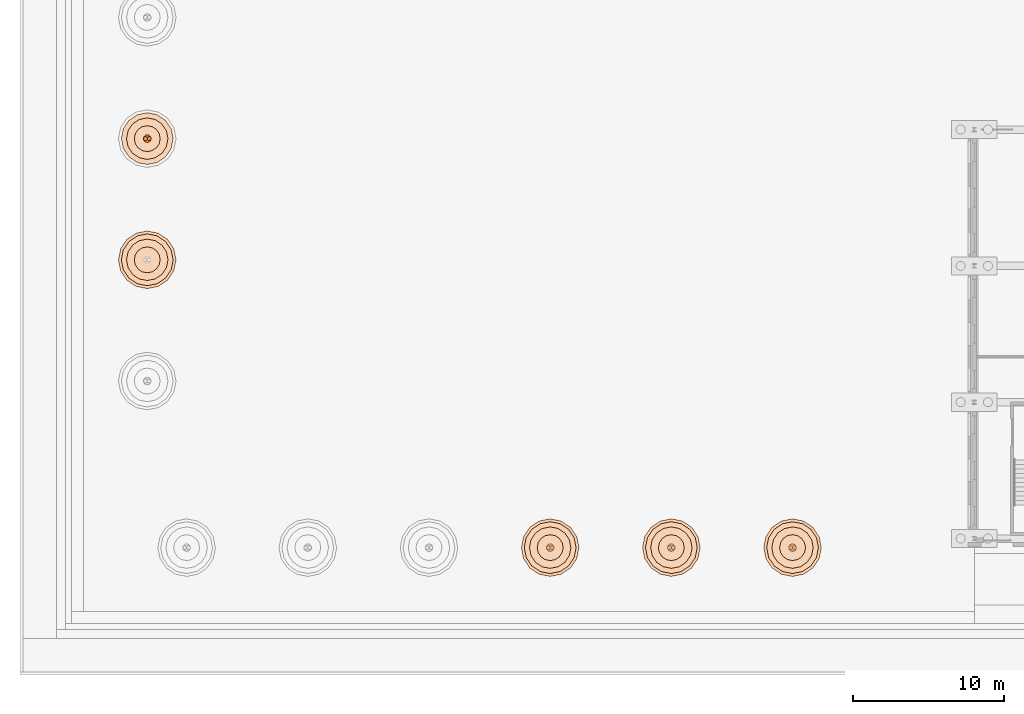
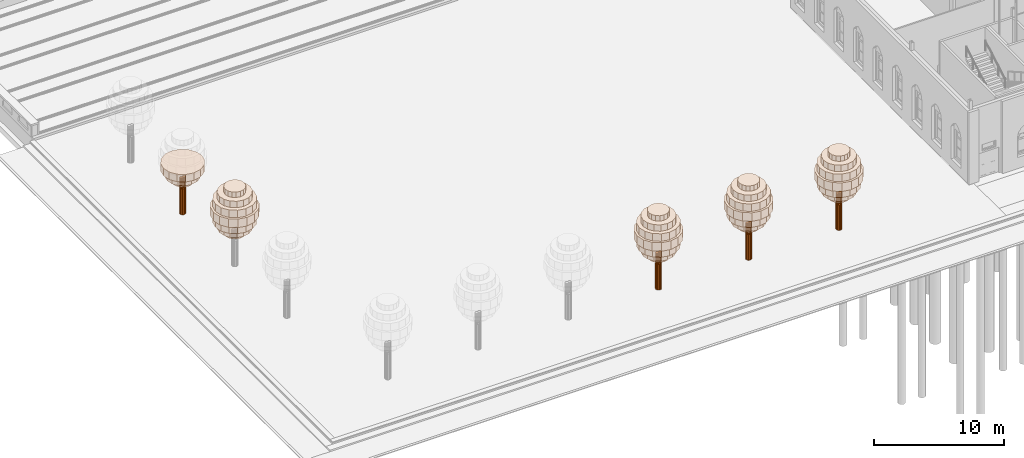
# One storey, part 239 of 250: 43 geographic elements.
"""IFC4 building model written with IfcOpenShell, lengths in metres."""

from ifc_helpers import new_model, si_unit, direction, frame, origin, place, context, subcontext, project, spatial, polyline, outline, extrude, material, type_object, element, save


model = new_model("IFC4")

# Units and contexts
model_context = context("Model", 3, precision=1e-05, world=origin(), true_north=direction((0.0, 1.0)))
body_context = subcontext(model_context, "Body", "Model", "MODEL_VIEW")
ifc_project = project(units=[si_unit("LENGTHUNIT", "METRE"), si_unit("AREAUNIT", "SQUARE_METRE"), si_unit("VOLUMEUNIT", "CUBIC_METRE"), si_unit("PLANEANGLEUNIT", "RADIAN"), si_unit("MASSUNIT", "GRAM", prefix="KILO")], contexts=[model_context])

# Site, building, storey
site_placement = place(None, origin())
site = spatial("IfcSite", under=ifc_project, at=site_placement, CompositionType="ELEMENT")
building_placement = place(site_placement, origin())
building = spatial("IfcBuilding", under=site, at=building_placement, Name="Baradari Gate Terminus", CompositionType="ELEMENT")
storey_placement = place(building_placement, origin())
storey = spatial("IfcBuildingStorey", under=building, at=storey_placement, Name="L00", CompositionType="ELEMENT", Elevation=0.0)

# Geographic elements
ifc_material_1 = material(Name="Planted foliage, green")
geographic_element_type_1 = type_object("IfcGeographicElementType", Name="Street tree crown, belly layer TR-4 3420x700", PredefinedType="USERDEFINED", material=ifc_material_1)
for number, where, name in (
    (1, (0.0, 0.0, 4.10009765625), "Street tree 4 crown 3"),
    (2, (0.0, 0.0, 5.60009765625), "Street tree 4 crown 5"),
):
    element("IfcGeographicElement", number, at=place(storey_placement, frame(where)), inside=storey, type_object=geographic_element_type_1, Name=name, ObjectType="TREE", PredefinedType="USERDEFINED", context=body_context, shape_type="SweptSolid", body=[
        extrude(outline(polyline([(36.7099609375, 8.39990234375), (36.579833984375, 9.054443359375), (36.209228515625, 9.609130859375), (35.654296875, 9.979736328125), (35.0, 10.110107421875), (34.345703125, 9.979736328125), (33.790771484375, 9.609130859375), (33.420166015625, 9.054443359375), (33.2900390625, 8.39990234375), (33.420166015625, 7.74560546875), (33.790771484375, 7.19091796875), (34.345703125, 6.820068359375), (35.0, 6.68994140625), (35.654296875, 6.820068359375), (36.209228515625, 7.19091796875), (36.579833984375, 7.74560546875), (36.7099609375, 8.39990234375)])), origin(), (0.0, 0.0, 1.0), 0.699951171875),
    ])
for number, where, name in (
    (3, (0.0, 0.0, 4.10009765625), "Street tree 5 crown 3"),
    (4, (0.0, 0.0, 5.60009765625), "Street tree 5 crown 5"),
):
    element("IfcGeographicElement", number, at=place(storey_placement, frame(where)), inside=storey, type_object=geographic_element_type_1, Name=name, ObjectType="TREE", PredefinedType="USERDEFINED", context=body_context, shape_type="SweptSolid", body=[
        extrude(outline(polyline([(44.7099609375, 8.39990234375), (44.579833984375, 9.054443359375), (44.209228515625, 9.609130859375), (43.654296875, 9.979736328125), (43.0, 10.110107421875), (42.345703125, 9.979736328125), (41.790771484375, 9.609130859375), (41.420166015625, 9.054443359375), (41.2900390625, 8.39990234375), (41.420166015625, 7.74560546875), (41.790771484375, 7.19091796875), (42.345703125, 6.820068359375), (43.0, 6.68994140625), (43.654296875, 6.820068359375), (44.209228515625, 7.19091796875), (44.579833984375, 7.74560546875), (44.7099609375, 8.39990234375)])), origin(), (0.0, 0.0, 1.0), 0.699951171875),
    ])
for number, where, name in (
    (5, (0.0, 0.0, 4.10009765625), "Street tree 6 crown 3"),
    (6, (0.0, 0.0, 5.60009765625), "Street tree 6 crown 5"),
):
    element("IfcGeographicElement", number, at=place(storey_placement, frame(where)), inside=storey, type_object=geographic_element_type_1, Name=name, ObjectType="TREE", PredefinedType="USERDEFINED", context=body_context, shape_type="SweptSolid", body=[
        extrude(outline(polyline([(52.7099609375, 8.39990234375), (52.579833984375, 9.054443359375), (52.209228515625, 9.609130859375), (51.654296875, 9.979736328125), (51.0, 10.110107421875), (50.345703125, 9.979736328125), (49.790771484375, 9.609130859375), (49.420166015625, 9.054443359375), (49.2900390625, 8.39990234375), (49.420166015625, 7.74560546875), (49.790771484375, 7.19091796875), (50.345703125, 6.820068359375), (51.0, 6.68994140625), (51.654296875, 6.820068359375), (52.209228515625, 7.19091796875), (52.579833984375, 7.74560546875), (52.7099609375, 8.39990234375)])), origin(), (0.0, 0.0, 1.0), 0.699951171875),
    ])
for number, where, name in (
    (7, (0.0, 0.0, 4.10009765625), "Street tree 17 crown 3"),
    (8, (0.0, 0.0, 5.60009765625), "Street tree 17 crown 5"),
):
    element("IfcGeographicElement", number, at=place(storey_placement, frame(where)), inside=storey, type_object=geographic_element_type_1, Name=name, ObjectType="TREE", PredefinedType="USERDEFINED", context=body_context, shape_type="SweptSolid", body=[
        extrude(outline(polyline([(10.110107421875, 27.39990234375), (9.979736328125, 28.054443359375), (9.609130859375, 28.609130859375), (9.054443359375, 28.979736328125), (8.39990234375, 29.110107421875), (7.74560546875, 28.979736328125), (7.19091796875, 28.609130859375), (6.820068359375, 28.054443359375), (6.68994140625, 27.39990234375), (6.820068359375, 26.74560546875), (7.19091796875, 26.19091796875), (7.74560546875, 25.820068359375), (8.39990234375, 25.68994140625), (9.054443359375, 25.820068359375), (9.609130859375, 26.19091796875), (9.979736328125, 26.74560546875), (10.110107421875, 27.39990234375)])), origin(), (0.0, 0.0, 1.0), 0.699951171875),
    ])
geographic_element_1_placement = place(storey_placement, frame((0.0, 0.0, 4.10009765625)))
element("IfcGeographicElement", 9, at=geographic_element_1_placement, inside=storey, type_object=geographic_element_type_1, Name="Street tree 18 crown 3", ObjectType="TREE", PredefinedType="USERDEFINED", context=body_context, shape_type="SweptSolid", body=[
    extrude(outline(polyline([(10.110107421875, 35.39990234375), (9.979736328125, 36.054443359375), (9.609130859375, 36.609130859375), (9.054443359375, 36.979736328125), (8.39990234375, 37.110107421875), (7.74560546875, 36.979736328125), (7.19091796875, 36.609130859375), (6.820068359375, 36.054443359375), (6.68994140625, 35.39990234375), (6.820068359375, 34.74560546875), (7.19091796875, 34.19091796875), (7.74560546875, 33.820068359375), (8.39990234375, 33.68994140625), (9.054443359375, 33.820068359375), (9.609130859375, 34.19091796875), (9.979736328125, 34.74560546875), (10.110107421875, 35.39990234375)])), origin(), (0.0, 0.0, 1.0), 0.699951171875),
])
ifc_material_2 = material(Name="Planted foliage, green")
geographic_element_type_2 = type_object("IfcGeographicElementType", Name="Street tree crown, core layer TR-5 3800x800", PredefinedType="USERDEFINED", material=ifc_material_2)
geographic_element_2_placement = place(storey_placement, frame((0.0, 0.0, 4.800048828125)))
element("IfcGeographicElement", 10, at=geographic_element_2_placement, inside=storey, type_object=geographic_element_type_2, Name="Street tree 4 crown 4", ObjectType="TREE", PredefinedType="USERDEFINED", context=body_context, shape_type="SweptSolid", body=[
    extrude(outline(polyline([(36.89990234375, 8.39990234375), (36.75537109375, 9.127197265625), (36.343505859375, 9.743408203125), (35.72705078125, 10.1552734375), (35.0, 10.300048828125), (34.27294921875, 10.1552734375), (33.656494140625, 9.743408203125), (33.24462890625, 9.127197265625), (33.10009765625, 8.39990234375), (33.24462890625, 7.6728515625), (33.656494140625, 7.056396484375), (34.27294921875, 6.64453125), (35.0, 6.5), (35.72705078125, 6.64453125), (36.343505859375, 7.056396484375), (36.75537109375, 7.6728515625), (36.89990234375, 8.39990234375)])), origin(), (0.0, 0.0, 1.0), 0.800048828125),
])
geographic_element_3_placement = place(storey_placement, frame((0.0, 0.0, 4.800048828125)))
element("IfcGeographicElement", 11, at=geographic_element_3_placement, inside=storey, type_object=geographic_element_type_2, Name="Street tree 5 crown 4", ObjectType="TREE", PredefinedType="USERDEFINED", context=body_context, shape_type="SweptSolid", body=[
    extrude(outline(polyline([(44.89990234375, 8.39990234375), (44.75537109375, 9.127197265625), (44.343505859375, 9.743408203125), (43.72705078125, 10.1552734375), (43.0, 10.300048828125), (42.27294921875, 10.1552734375), (41.656494140625, 9.743408203125), (41.24462890625, 9.127197265625), (41.10009765625, 8.39990234375), (41.24462890625, 7.6728515625), (41.656494140625, 7.056396484375), (42.27294921875, 6.64453125), (43.0, 6.5), (43.72705078125, 6.64453125), (44.343505859375, 7.056396484375), (44.75537109375, 7.6728515625), (44.89990234375, 8.39990234375)])), origin(), (0.0, 0.0, 1.0), 0.800048828125),
])
geographic_element_4_placement = place(storey_placement, frame((0.0, 0.0, 4.800048828125)))
element("IfcGeographicElement", 12, at=geographic_element_4_placement, inside=storey, type_object=geographic_element_type_2, Name="Street tree 6 crown 4", ObjectType="TREE", PredefinedType="USERDEFINED", context=body_context, shape_type="SweptSolid", body=[
    extrude(outline(polyline([(52.89990234375, 8.39990234375), (52.75537109375, 9.127197265625), (52.343505859375, 9.743408203125), (51.72705078125, 10.1552734375), (51.0, 10.300048828125), (50.27294921875, 10.1552734375), (49.656494140625, 9.743408203125), (49.24462890625, 9.127197265625), (49.10009765625, 8.39990234375), (49.24462890625, 7.6728515625), (49.656494140625, 7.056396484375), (50.27294921875, 6.64453125), (51.0, 6.5), (51.72705078125, 6.64453125), (52.343505859375, 7.056396484375), (52.75537109375, 7.6728515625), (52.89990234375, 8.39990234375)])), origin(), (0.0, 0.0, 1.0), 0.800048828125),
])
geographic_element_5_placement = place(storey_placement, frame((0.0, 0.0, 4.800048828125)))
element("IfcGeographicElement", 13, at=geographic_element_5_placement, inside=storey, type_object=geographic_element_type_2, Name="Street tree 17 crown 4", ObjectType="TREE", PredefinedType="USERDEFINED", context=body_context, shape_type="SweptSolid", body=[
    extrude(outline(polyline([(10.300048828125, 27.39990234375), (10.1552734375, 28.127197265625), (9.743408203125, 28.743408203125), (9.127197265625, 29.1552734375), (8.39990234375, 29.300048828125), (7.6728515625, 29.1552734375), (7.056396484375, 28.743408203125), (6.64453125, 28.127197265625), (6.5, 27.39990234375), (6.64453125, 26.6728515625), (7.056396484375, 26.056396484375), (7.6728515625, 25.64453125), (8.39990234375, 25.5), (9.127197265625, 25.64453125), (9.743408203125, 26.056396484375), (10.1552734375, 26.6728515625), (10.300048828125, 27.39990234375)])), origin(), (0.0, 0.0, 1.0), 0.800048828125),
])
ifc_material_3 = material(Name="Planted foliage, green")
geographic_element_type_3 = type_object("IfcGeographicElementType", Name="Street tree crown, rim layer TR-2 1710x500", PredefinedType="USERDEFINED", material=ifc_material_3)
for number, where, name in (
    (14, (0.0, 0.0, 3.0), "Street tree 4 crown 1"),
    (15, (0.0, 0.0, 6.89990234375), "Street tree 4 crown 7"),
):
    element("IfcGeographicElement", number, at=place(storey_placement, frame(where)), inside=storey, type_object=geographic_element_type_3, Name=name, ObjectType="TREE", PredefinedType="USERDEFINED", context=body_context, shape_type="SweptSolid", body=[
        extrude(outline(polyline([(35.85498046875, 8.39990234375), (35.7900390625, 8.727294921875), (35.6044921875, 9.004638671875), (35.3271484375, 9.18994140625), (35.0, 9.2548828125), (34.6728515625, 9.18994140625), (34.3955078125, 9.004638671875), (34.2099609375, 8.727294921875), (34.14501953125, 8.39990234375), (34.2099609375, 8.07275390625), (34.3955078125, 7.79541015625), (34.6728515625, 7.610107421875), (35.0, 7.544921875), (35.3271484375, 7.610107421875), (35.6044921875, 7.79541015625), (35.7900390625, 8.07275390625), (35.85498046875, 8.39990234375)])), origin(), (0.0, 0.0, 1.0), 0.5),
    ])
for number, where, name in (
    (16, (0.0, 0.0, 3.0), "Street tree 5 crown 1"),
    (17, (0.0, 0.0, 6.89990234375), "Street tree 5 crown 7"),
):
    element("IfcGeographicElement", number, at=place(storey_placement, frame(where)), inside=storey, type_object=geographic_element_type_3, Name=name, ObjectType="TREE", PredefinedType="USERDEFINED", context=body_context, shape_type="SweptSolid", body=[
        extrude(outline(polyline([(43.85498046875, 8.39990234375), (43.7900390625, 8.727294921875), (43.6044921875, 9.004638671875), (43.3271484375, 9.18994140625), (43.0, 9.2548828125), (42.6728515625, 9.18994140625), (42.3955078125, 9.004638671875), (42.2099609375, 8.727294921875), (42.14501953125, 8.39990234375), (42.2099609375, 8.07275390625), (42.3955078125, 7.79541015625), (42.6728515625, 7.610107421875), (43.0, 7.544921875), (43.3271484375, 7.610107421875), (43.6044921875, 7.79541015625), (43.7900390625, 8.07275390625), (43.85498046875, 8.39990234375)])), origin(), (0.0, 0.0, 1.0), 0.5),
    ])
for number, where, name in (
    (18, (0.0, 0.0, 3.0), "Street tree 6 crown 1"),
    (19, (0.0, 0.0, 6.89990234375), "Street tree 6 crown 7"),
):
    element("IfcGeographicElement", number, at=place(storey_placement, frame(where)), inside=storey, type_object=geographic_element_type_3, Name=name, ObjectType="TREE", PredefinedType="USERDEFINED", context=body_context, shape_type="SweptSolid", body=[
        extrude(outline(polyline([(51.85498046875, 8.39990234375), (51.7900390625, 8.727294921875), (51.6044921875, 9.004638671875), (51.3271484375, 9.18994140625), (51.0, 9.2548828125), (50.6728515625, 9.18994140625), (50.3955078125, 9.004638671875), (50.2099609375, 8.727294921875), (50.14501953125, 8.39990234375), (50.2099609375, 8.07275390625), (50.3955078125, 7.79541015625), (50.6728515625, 7.610107421875), (51.0, 7.544921875), (51.3271484375, 7.610107421875), (51.6044921875, 7.79541015625), (51.7900390625, 8.07275390625), (51.85498046875, 8.39990234375)])), origin(), (0.0, 0.0, 1.0), 0.5),
    ])
for number, where, name in (
    (20, (0.0, 0.0, 3.0), "Street tree 17 crown 1"),
    (21, (0.0, 0.0, 6.89990234375), "Street tree 17 crown 7"),
):
    element("IfcGeographicElement", number, at=place(storey_placement, frame(where)), inside=storey, type_object=geographic_element_type_3, Name=name, ObjectType="TREE", PredefinedType="USERDEFINED", context=body_context, shape_type="SweptSolid", body=[
        extrude(outline(polyline([(9.2548828125, 27.39990234375), (9.18994140625, 27.727294921875), (9.004638671875, 28.004638671875), (8.727294921875, 28.18994140625), (8.39990234375, 28.2548828125), (8.07275390625, 28.18994140625), (7.79541015625, 28.004638671875), (7.610107421875, 27.727294921875), (7.544921875, 27.39990234375), (7.610107421875, 27.07275390625), (7.79541015625, 26.79541015625), (8.07275390625, 26.610107421875), (8.39990234375, 26.544921875), (8.727294921875, 26.610107421875), (9.004638671875, 26.79541015625), (9.18994140625, 27.07275390625), (9.2548828125, 27.39990234375)])), origin(), (0.0, 0.0, 1.0), 0.5),
    ])
geographic_element_6_placement = place(storey_placement, frame((0.0, 0.0, 3.0)))
element("IfcGeographicElement", 22, at=geographic_element_6_placement, inside=storey, type_object=geographic_element_type_3, Name="Street tree 18 crown 1", ObjectType="TREE", PredefinedType="USERDEFINED", context=body_context, shape_type="SweptSolid", body=[
    extrude(outline(polyline([(9.2548828125, 35.39990234375), (9.18994140625, 35.727294921875), (9.004638671875, 36.004638671875), (8.727294921875, 36.18994140625), (8.39990234375, 36.2548828125), (8.07275390625, 36.18994140625), (7.79541015625, 36.004638671875), (7.610107421875, 35.727294921875), (7.544921875, 35.39990234375), (7.610107421875, 35.07275390625), (7.79541015625, 34.79541015625), (8.07275390625, 34.610107421875), (8.39990234375, 34.544921875), (8.727294921875, 34.610107421875), (9.004638671875, 34.79541015625), (9.18994140625, 35.07275390625), (9.2548828125, 35.39990234375)])), origin(), (0.0, 0.0, 1.0), 0.5),
])
ifc_material_4 = material(Name="Planted foliage, green")
geographic_element_type_4 = type_object("IfcGeographicElementType", Name="Street tree crown, shoulder layer TR-3 2736x600", PredefinedType="USERDEFINED", material=ifc_material_4)
geographic_element_7_placement = place(storey_placement, frame((0.0, 0.0, 3.5)))
element("IfcGeographicElement", 23, at=geographic_element_7_placement, inside=storey, type_object=geographic_element_type_4, Name="Street tree 4 crown 2", ObjectType="TREE", PredefinedType="USERDEFINED", context=body_context, shape_type="SweptSolid", body=[
    extrude(outline(polyline([(36.367919921875, 8.39990234375), (36.263916015625, 8.923583984375), (35.96728515625, 9.367431640625), (35.5234375, 9.663818359375), (35.0, 9.76806640625), (34.4765625, 9.663818359375), (34.03271484375, 9.367431640625), (33.736083984375, 8.923583984375), (33.632080078125, 8.39990234375), (33.736083984375, 7.87646484375), (34.03271484375, 7.4326171875), (34.4765625, 7.13623046875), (35.0, 7.031982421875), (35.5234375, 7.13623046875), (35.96728515625, 7.4326171875), (36.263916015625, 7.87646484375), (36.367919921875, 8.39990234375)])), origin(), (0.0, 0.0, 1.0), 0.60009765625),
])
geographic_element_8_placement = place(storey_placement, frame((0.0, 0.0, 6.300048828125)))
element("IfcGeographicElement", 24, at=geographic_element_8_placement, inside=storey, type_object=geographic_element_type_4, Name="Street tree 4 crown 6", ObjectType="TREE", PredefinedType="USERDEFINED", context=body_context, shape_type="SweptSolid", body=[
    extrude(outline(polyline([(36.367919921875, 8.39990234375), (36.263916015625, 8.923583984375), (35.96728515625, 9.367431640625), (35.5234375, 9.663818359375), (35.0, 9.76806640625), (34.4765625, 9.663818359375), (34.03271484375, 9.367431640625), (33.736083984375, 8.923583984375), (33.632080078125, 8.39990234375), (33.736083984375, 7.87646484375), (34.03271484375, 7.4326171875), (34.4765625, 7.13623046875), (35.0, 7.031982421875), (35.5234375, 7.13623046875), (35.96728515625, 7.4326171875), (36.263916015625, 7.87646484375), (36.367919921875, 8.39990234375)])), origin(), (0.0, 0.0, 1.0), 0.599853515625),
])
geographic_element_9_placement = place(storey_placement, frame((0.0, 0.0, 3.5)))
element("IfcGeographicElement", 25, at=geographic_element_9_placement, inside=storey, type_object=geographic_element_type_4, Name="Street tree 5 crown 2", ObjectType="TREE", PredefinedType="USERDEFINED", context=body_context, shape_type="SweptSolid", body=[
    extrude(outline(polyline([(44.367919921875, 8.39990234375), (44.263916015625, 8.923583984375), (43.96728515625, 9.367431640625), (43.5234375, 9.663818359375), (43.0, 9.76806640625), (42.4765625, 9.663818359375), (42.03271484375, 9.367431640625), (41.736083984375, 8.923583984375), (41.632080078125, 8.39990234375), (41.736083984375, 7.87646484375), (42.03271484375, 7.4326171875), (42.4765625, 7.13623046875), (43.0, 7.031982421875), (43.5234375, 7.13623046875), (43.96728515625, 7.4326171875), (44.263916015625, 7.87646484375), (44.367919921875, 8.39990234375)])), origin(), (0.0, 0.0, 1.0), 0.60009765625),
])
geographic_element_10_placement = place(storey_placement, frame((0.0, 0.0, 6.300048828125)))
element("IfcGeographicElement", 26, at=geographic_element_10_placement, inside=storey, type_object=geographic_element_type_4, Name="Street tree 5 crown 6", ObjectType="TREE", PredefinedType="USERDEFINED", context=body_context, shape_type="SweptSolid", body=[
    extrude(outline(polyline([(44.367919921875, 8.39990234375), (44.263916015625, 8.923583984375), (43.96728515625, 9.367431640625), (43.5234375, 9.663818359375), (43.0, 9.76806640625), (42.4765625, 9.663818359375), (42.03271484375, 9.367431640625), (41.736083984375, 8.923583984375), (41.632080078125, 8.39990234375), (41.736083984375, 7.87646484375), (42.03271484375, 7.4326171875), (42.4765625, 7.13623046875), (43.0, 7.031982421875), (43.5234375, 7.13623046875), (43.96728515625, 7.4326171875), (44.263916015625, 7.87646484375), (44.367919921875, 8.39990234375)])), origin(), (0.0, 0.0, 1.0), 0.599853515625),
])
geographic_element_11_placement = place(storey_placement, frame((0.0, 0.0, 3.5)))
element("IfcGeographicElement", 27, at=geographic_element_11_placement, inside=storey, type_object=geographic_element_type_4, Name="Street tree 6 crown 2", ObjectType="TREE", PredefinedType="USERDEFINED", context=body_context, shape_type="SweptSolid", body=[
    extrude(outline(polyline([(52.367919921875, 8.39990234375), (52.263916015625, 8.923583984375), (51.96728515625, 9.367431640625), (51.5234375, 9.663818359375), (51.0, 9.76806640625), (50.4765625, 9.663818359375), (50.03271484375, 9.367431640625), (49.736083984375, 8.923583984375), (49.632080078125, 8.39990234375), (49.736083984375, 7.87646484375), (50.03271484375, 7.4326171875), (50.4765625, 7.13623046875), (51.0, 7.031982421875), (51.5234375, 7.13623046875), (51.96728515625, 7.4326171875), (52.263916015625, 7.87646484375), (52.367919921875, 8.39990234375)])), origin(), (0.0, 0.0, 1.0), 0.60009765625),
])
geographic_element_12_placement = place(storey_placement, frame((0.0, 0.0, 6.300048828125)))
element("IfcGeographicElement", 28, at=geographic_element_12_placement, inside=storey, type_object=geographic_element_type_4, Name="Street tree 6 crown 6", ObjectType="TREE", PredefinedType="USERDEFINED", context=body_context, shape_type="SweptSolid", body=[
    extrude(outline(polyline([(52.367919921875, 8.39990234375), (52.263916015625, 8.923583984375), (51.96728515625, 9.367431640625), (51.5234375, 9.663818359375), (51.0, 9.76806640625), (50.4765625, 9.663818359375), (50.03271484375, 9.367431640625), (49.736083984375, 8.923583984375), (49.632080078125, 8.39990234375), (49.736083984375, 7.87646484375), (50.03271484375, 7.4326171875), (50.4765625, 7.13623046875), (51.0, 7.031982421875), (51.5234375, 7.13623046875), (51.96728515625, 7.4326171875), (52.263916015625, 7.87646484375), (52.367919921875, 8.39990234375)])), origin(), (0.0, 0.0, 1.0), 0.599853515625),
])
geographic_element_13_placement = place(storey_placement, frame((0.0, 0.0, 3.5)))
element("IfcGeographicElement", 29, at=geographic_element_13_placement, inside=storey, type_object=geographic_element_type_4, Name="Street tree 17 crown 2", ObjectType="TREE", PredefinedType="USERDEFINED", context=body_context, shape_type="SweptSolid", body=[
    extrude(outline(polyline([(9.76806640625, 27.39990234375), (9.663818359375, 27.923583984375), (9.367431640625, 28.367431640625), (8.923583984375, 28.663818359375), (8.39990234375, 28.76806640625), (7.87646484375, 28.663818359375), (7.4326171875, 28.367431640625), (7.13623046875, 27.923583984375), (7.031982421875, 27.39990234375), (7.13623046875, 26.87646484375), (7.4326171875, 26.4326171875), (7.87646484375, 26.13623046875), (8.39990234375, 26.031982421875), (8.923583984375, 26.13623046875), (9.367431640625, 26.4326171875), (9.663818359375, 26.87646484375), (9.76806640625, 27.39990234375)])), origin(), (0.0, 0.0, 1.0), 0.60009765625),
])
geographic_element_14_placement = place(storey_placement, frame((0.0, 0.0, 6.300048828125)))
element("IfcGeographicElement", 30, at=geographic_element_14_placement, inside=storey, type_object=geographic_element_type_4, Name="Street tree 17 crown 6", ObjectType="TREE", PredefinedType="USERDEFINED", context=body_context, shape_type="SweptSolid", body=[
    extrude(outline(polyline([(9.76806640625, 27.39990234375), (9.663818359375, 27.923583984375), (9.367431640625, 28.367431640625), (8.923583984375, 28.663818359375), (8.39990234375, 28.76806640625), (7.87646484375, 28.663818359375), (7.4326171875, 28.367431640625), (7.13623046875, 27.923583984375), (7.031982421875, 27.39990234375), (7.13623046875, 26.87646484375), (7.4326171875, 26.4326171875), (7.87646484375, 26.13623046875), (8.39990234375, 26.031982421875), (8.923583984375, 26.13623046875), (9.367431640625, 26.4326171875), (9.663818359375, 26.87646484375), (9.76806640625, 27.39990234375)])), origin(), (0.0, 0.0, 1.0), 0.599853515625),
])
geographic_element_15_placement = place(storey_placement, frame((0.0, 0.0, 3.5)))
element("IfcGeographicElement", 31, at=geographic_element_15_placement, inside=storey, type_object=geographic_element_type_4, Name="Street tree 18 crown 2", ObjectType="TREE", PredefinedType="USERDEFINED", context=body_context, shape_type="SweptSolid", body=[
    extrude(outline(polyline([(9.76806640625, 35.39990234375), (9.663818359375, 35.923583984375), (9.367431640625, 36.367431640625), (8.923583984375, 36.663818359375), (8.39990234375, 36.76806640625), (7.87646484375, 36.663818359375), (7.4326171875, 36.367431640625), (7.13623046875, 35.923583984375), (7.031982421875, 35.39990234375), (7.13623046875, 34.87646484375), (7.4326171875, 34.4326171875), (7.87646484375, 34.13623046875), (8.39990234375, 34.031982421875), (8.923583984375, 34.13623046875), (9.367431640625, 34.4326171875), (9.663818359375, 34.87646484375), (9.76806640625, 35.39990234375)])), origin(), (0.0, 0.0, 1.0), 0.60009765625),
])
ifc_material_5 = material(Name="Timber, hardwood", Category="wood")
geographic_element_type_5 = type_object("IfcGeographicElementType", Name="Street tree limb TR-11 260x1000", PredefinedType="USERDEFINED", material=ifc_material_5)
geographic_element_16_placement = place(storey_placement, frame((0.0, 0.0, 2.39990234375)))
element("IfcGeographicElement", 32, at=geographic_element_16_placement, inside=storey, type_object=geographic_element_type_5, Name="Street tree 4 limb 1", ObjectType="TREE", PredefinedType="USERDEFINED", context=body_context, shape_type="SweptSolid", body=[
    extrude(outline(polyline([(35.010009765625, 8.39990234375), (35.0, 8.44970703125), (34.971923828125, 8.491943359375), (34.9296875, 8.52001953125), (34.8798828125, 8.530029296875), (34.830322265625, 8.52001953125), (34.7880859375, 8.491943359375), (34.760009765625, 8.44970703125), (34.75, 8.39990234375), (34.760009765625, 8.350341796875), (34.7880859375, 8.30810546875), (34.830322265625, 8.27978515625), (34.8798828125, 8.27001953125), (34.9296875, 8.27978515625), (34.971923828125, 8.30810546875), (35.0, 8.350341796875), (35.010009765625, 8.39990234375)])), origin(), (0.0, 0.0, 1.0), 1.0),
])
geographic_element_17_placement = place(storey_placement, frame((0.0, 0.0, 2.39990234375)))
element("IfcGeographicElement", 33, at=geographic_element_17_placement, inside=storey, type_object=geographic_element_type_5, Name="Street tree 4 limb 2", ObjectType="TREE", PredefinedType="USERDEFINED", context=body_context, shape_type="SweptSolid", body=[
    extrude(outline(polyline([(35.25, 8.39990234375), (35.239990234375, 8.44970703125), (35.2119140625, 8.491943359375), (35.169677734375, 8.52001953125), (35.1201171875, 8.530029296875), (35.0703125, 8.52001953125), (35.028076171875, 8.491943359375), (35.0, 8.44970703125), (34.989990234375, 8.39990234375), (35.0, 8.350341796875), (35.028076171875, 8.30810546875), (35.0703125, 8.27978515625), (35.1201171875, 8.27001953125), (35.169677734375, 8.27978515625), (35.2119140625, 8.30810546875), (35.239990234375, 8.350341796875), (35.25, 8.39990234375)])), origin(), (0.0, 0.0, 1.0), 1.0),
])
geographic_element_18_placement = place(storey_placement, frame((0.0, 0.0, 2.39990234375)))
element("IfcGeographicElement", 34, at=geographic_element_18_placement, inside=storey, type_object=geographic_element_type_5, Name="Street tree 5 limb 1", ObjectType="TREE", PredefinedType="USERDEFINED", context=body_context, shape_type="SweptSolid", body=[
    extrude(outline(polyline([(43.010009765625, 8.39990234375), (43.0, 8.44970703125), (42.971923828125, 8.491943359375), (42.9296875, 8.52001953125), (42.8798828125, 8.530029296875), (42.830322265625, 8.52001953125), (42.7880859375, 8.491943359375), (42.760009765625, 8.44970703125), (42.75, 8.39990234375), (42.760009765625, 8.350341796875), (42.7880859375, 8.30810546875), (42.830322265625, 8.27978515625), (42.8798828125, 8.27001953125), (42.9296875, 8.27978515625), (42.971923828125, 8.30810546875), (43.0, 8.350341796875), (43.010009765625, 8.39990234375)])), origin(), (0.0, 0.0, 1.0), 1.0),
])
geographic_element_19_placement = place(storey_placement, frame((0.0, 0.0, 2.39990234375)))
element("IfcGeographicElement", 35, at=geographic_element_19_placement, inside=storey, type_object=geographic_element_type_5, Name="Street tree 5 limb 2", ObjectType="TREE", PredefinedType="USERDEFINED", context=body_context, shape_type="SweptSolid", body=[
    extrude(outline(polyline([(43.25, 8.39990234375), (43.239990234375, 8.44970703125), (43.2119140625, 8.491943359375), (43.169677734375, 8.52001953125), (43.1201171875, 8.530029296875), (43.0703125, 8.52001953125), (43.028076171875, 8.491943359375), (43.0, 8.44970703125), (42.989990234375, 8.39990234375), (43.0, 8.350341796875), (43.028076171875, 8.30810546875), (43.0703125, 8.27978515625), (43.1201171875, 8.27001953125), (43.169677734375, 8.27978515625), (43.2119140625, 8.30810546875), (43.239990234375, 8.350341796875), (43.25, 8.39990234375)])), origin(), (0.0, 0.0, 1.0), 1.0),
])
geographic_element_20_placement = place(storey_placement, frame((0.0, 0.0, 2.39990234375)))
element("IfcGeographicElement", 36, at=geographic_element_20_placement, inside=storey, type_object=geographic_element_type_5, Name="Street tree 6 limb 1", ObjectType="TREE", PredefinedType="USERDEFINED", context=body_context, shape_type="SweptSolid", body=[
    extrude(outline(polyline([(51.010009765625, 8.39990234375), (51.0, 8.44970703125), (50.971923828125, 8.491943359375), (50.9296875, 8.52001953125), (50.8798828125, 8.530029296875), (50.830322265625, 8.52001953125), (50.7880859375, 8.491943359375), (50.760009765625, 8.44970703125), (50.75, 8.39990234375), (50.760009765625, 8.350341796875), (50.7880859375, 8.30810546875), (50.830322265625, 8.27978515625), (50.8798828125, 8.27001953125), (50.9296875, 8.27978515625), (50.971923828125, 8.30810546875), (51.0, 8.350341796875), (51.010009765625, 8.39990234375)])), origin(), (0.0, 0.0, 1.0), 1.0),
])
geographic_element_21_placement = place(storey_placement, frame((0.0, 0.0, 2.39990234375)))
element("IfcGeographicElement", 37, at=geographic_element_21_placement, inside=storey, type_object=geographic_element_type_5, Name="Street tree 6 limb 2", ObjectType="TREE", PredefinedType="USERDEFINED", context=body_context, shape_type="SweptSolid", body=[
    extrude(outline(polyline([(51.25, 8.39990234375), (51.239990234375, 8.44970703125), (51.2119140625, 8.491943359375), (51.169677734375, 8.52001953125), (51.1201171875, 8.530029296875), (51.0703125, 8.52001953125), (51.028076171875, 8.491943359375), (51.0, 8.44970703125), (50.989990234375, 8.39990234375), (51.0, 8.350341796875), (51.028076171875, 8.30810546875), (51.0703125, 8.27978515625), (51.1201171875, 8.27001953125), (51.169677734375, 8.27978515625), (51.2119140625, 8.30810546875), (51.239990234375, 8.350341796875), (51.25, 8.39990234375)])), origin(), (0.0, 0.0, 1.0), 1.0),
])
geographic_element_22_placement = place(storey_placement, frame((0.0, 0.0, 2.39990234375)))
element("IfcGeographicElement", 38, at=geographic_element_22_placement, inside=storey, type_object=geographic_element_type_5, Name="Street tree 18 limb 1", ObjectType="TREE", PredefinedType="USERDEFINED", context=body_context, shape_type="SweptSolid", body=[
    extrude(outline(polyline([(8.409912109375, 35.39990234375), (8.400146484375, 35.44970703125), (8.371826171875, 35.491943359375), (8.329833984375, 35.52001953125), (8.280029296875, 35.530029296875), (8.230224609375, 35.52001953125), (8.18798828125, 35.491943359375), (8.159912109375, 35.44970703125), (8.14990234375, 35.39990234375), (8.159912109375, 35.350341796875), (8.18798828125, 35.30810546875), (8.230224609375, 35.27978515625), (8.280029296875, 35.27001953125), (8.329833984375, 35.27978515625), (8.371826171875, 35.30810546875), (8.400146484375, 35.350341796875), (8.409912109375, 35.39990234375)])), origin(), (0.0, 0.0, 1.0), 1.0),
])
geographic_element_23_placement = place(storey_placement, frame((0.0, 0.0, 2.39990234375)))
element("IfcGeographicElement", 39, at=geographic_element_23_placement, inside=storey, type_object=geographic_element_type_5, Name="Street tree 18 limb 2", ObjectType="TREE", PredefinedType="USERDEFINED", context=body_context, shape_type="SweptSolid", body=[
    extrude(outline(polyline([(8.64990234375, 35.39990234375), (8.64013671875, 35.44970703125), (8.61181640625, 35.491943359375), (8.56982421875, 35.52001953125), (8.52001953125, 35.530029296875), (8.47021484375, 35.52001953125), (8.427978515625, 35.491943359375), (8.39990234375, 35.44970703125), (8.389892578125, 35.39990234375), (8.39990234375, 35.350341796875), (8.427978515625, 35.30810546875), (8.47021484375, 35.27978515625), (8.52001953125, 35.27001953125), (8.56982421875, 35.27978515625), (8.61181640625, 35.30810546875), (8.64013671875, 35.350341796875), (8.64990234375, 35.39990234375)])), origin(), (0.0, 0.0, 1.0), 1.0),
])
ifc_material_6 = material(Name="Timber, hardwood", Category="wood")
geographic_element_type_6 = type_object("IfcGeographicElementType", Name="Street tree trunk TR-1 500x2400", PredefinedType="USERDEFINED", material=ifc_material_6)
geographic_element_24_placement = place(storey_placement, origin())
element("IfcGeographicElement", 40, at=geographic_element_24_placement, inside=storey, type_object=geographic_element_type_6, Name="Street tree 4 trunk", ObjectType="TREE", PredefinedType="USERDEFINED", context=body_context, shape_type="SweptSolid", body=[
    extrude(outline(polyline([(35.25, 8.39990234375), (35.23095703125, 8.49560546875), (35.1767578125, 8.57666015625), (35.095703125, 8.630859375), (35.0, 8.64990234375), (34.904296875, 8.630859375), (34.8232421875, 8.57666015625), (34.76904296875, 8.49560546875), (34.75, 8.39990234375), (34.76904296875, 8.304443359375), (34.8232421875, 8.22314453125), (34.904296875, 8.1689453125), (35.0, 8.14990234375), (35.095703125, 8.1689453125), (35.1767578125, 8.22314453125), (35.23095703125, 8.304443359375), (35.25, 8.39990234375)])), origin(), (0.0, 0.0, 1.0), 2.39990234375),
])
geographic_element_25_placement = place(storey_placement, origin())
element("IfcGeographicElement", 41, at=geographic_element_25_placement, inside=storey, type_object=geographic_element_type_6, Name="Street tree 5 trunk", ObjectType="TREE", PredefinedType="USERDEFINED", context=body_context, shape_type="SweptSolid", body=[
    extrude(outline(polyline([(43.25, 8.39990234375), (43.23095703125, 8.49560546875), (43.1767578125, 8.57666015625), (43.095703125, 8.630859375), (43.0, 8.64990234375), (42.904296875, 8.630859375), (42.8232421875, 8.57666015625), (42.76904296875, 8.49560546875), (42.75, 8.39990234375), (42.76904296875, 8.304443359375), (42.8232421875, 8.22314453125), (42.904296875, 8.1689453125), (43.0, 8.14990234375), (43.095703125, 8.1689453125), (43.1767578125, 8.22314453125), (43.23095703125, 8.304443359375), (43.25, 8.39990234375)])), origin(), (0.0, 0.0, 1.0), 2.39990234375),
])
geographic_element_26_placement = place(storey_placement, origin())
element("IfcGeographicElement", 42, at=geographic_element_26_placement, inside=storey, type_object=geographic_element_type_6, Name="Street tree 6 trunk", ObjectType="TREE", PredefinedType="USERDEFINED", context=body_context, shape_type="SweptSolid", body=[
    extrude(outline(polyline([(51.25, 8.39990234375), (51.23095703125, 8.49560546875), (51.1767578125, 8.57666015625), (51.095703125, 8.630859375), (51.0, 8.64990234375), (50.904296875, 8.630859375), (50.8232421875, 8.57666015625), (50.76904296875, 8.49560546875), (50.75, 8.39990234375), (50.76904296875, 8.304443359375), (50.8232421875, 8.22314453125), (50.904296875, 8.1689453125), (51.0, 8.14990234375), (51.095703125, 8.1689453125), (51.1767578125, 8.22314453125), (51.23095703125, 8.304443359375), (51.25, 8.39990234375)])), origin(), (0.0, 0.0, 1.0), 2.39990234375),
])
geographic_element_27_placement = place(storey_placement, origin())
element("IfcGeographicElement", 43, at=geographic_element_27_placement, inside=storey, type_object=geographic_element_type_6, Name="Street tree 18 trunk", ObjectType="TREE", PredefinedType="USERDEFINED", context=body_context, shape_type="SweptSolid", body=[
    extrude(outline(polyline([(8.64990234375, 35.39990234375), (8.630859375, 35.49560546875), (8.57666015625, 35.57666015625), (8.49560546875, 35.630859375), (8.39990234375, 35.64990234375), (8.304443359375, 35.630859375), (8.22314453125, 35.57666015625), (8.1689453125, 35.49560546875), (8.14990234375, 35.39990234375), (8.1689453125, 35.304443359375), (8.22314453125, 35.22314453125), (8.304443359375, 35.1689453125), (8.39990234375, 35.14990234375), (8.49560546875, 35.1689453125), (8.57666015625, 35.22314453125), (8.630859375, 35.304443359375), (8.64990234375, 35.39990234375)])), origin(), (0.0, 0.0, 1.0), 2.39990234375),
])

save(model, "model.ifc")
